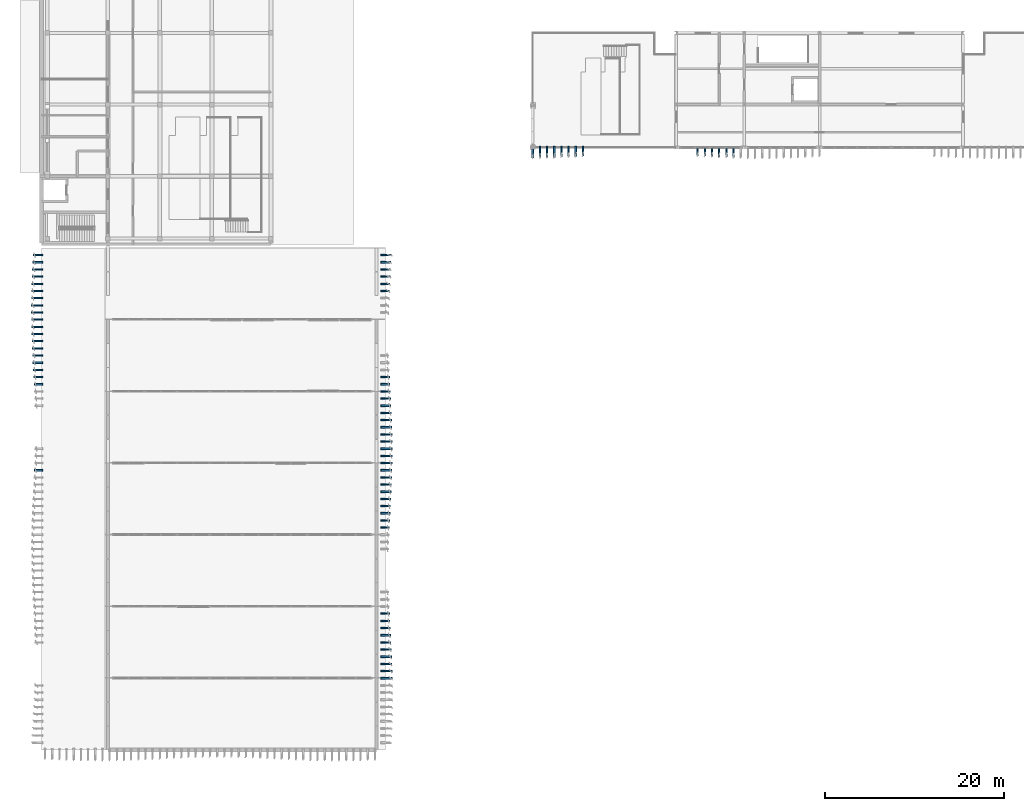
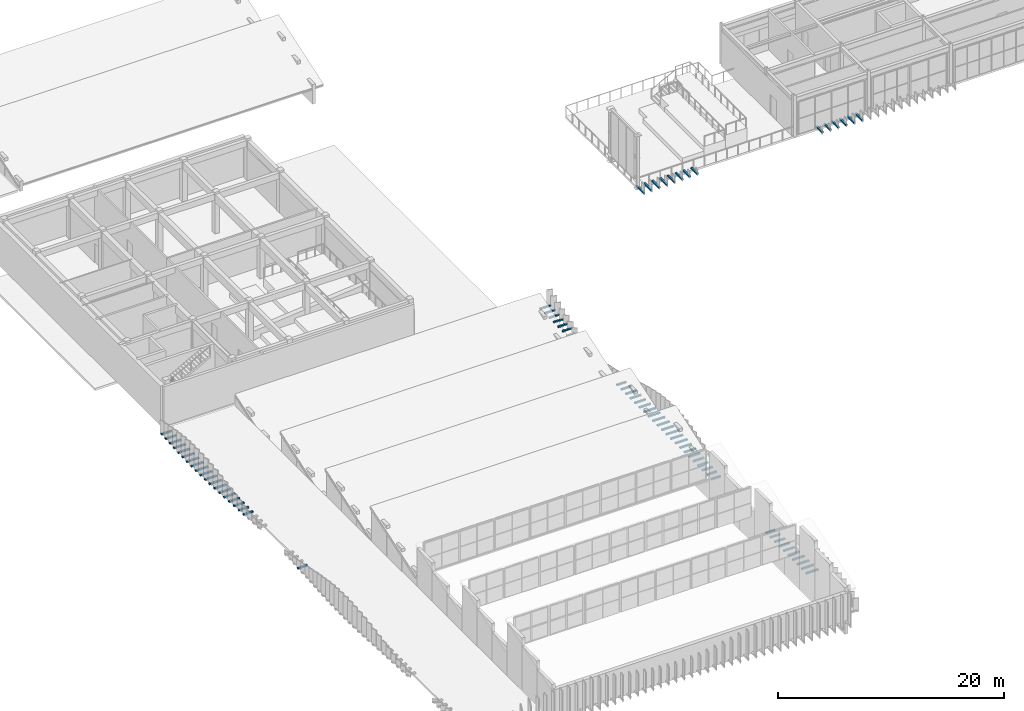
# One storey, part 34 of 45: 72 discrete accessories.
"""IFC4 building model written with IfcOpenShell, lengths in metres."""

from ifc_helpers import new_model, si_unit, direction, frame, origin, origin_2d, place, context, subcontext, project, spatial, rectangle, extrude, material, type_object, element, save


model = new_model("IFC4")

# Units and contexts
model_context = context("Model", 3, precision=1e-05, world=origin(), true_north=direction((0.0, 1.0)))
body_context = subcontext(model_context, "Body", "Model", "MODEL_VIEW")
ifc_project = project(units=[si_unit("LENGTHUNIT", "METRE"), si_unit("AREAUNIT", "SQUARE_METRE"), si_unit("VOLUMEUNIT", "CUBIC_METRE"), si_unit("PLANEANGLEUNIT", "RADIAN"), si_unit("MASSUNIT", "GRAM", prefix="KILO")], contexts=[model_context])

# Site, building, storey
site_placement = place(None, origin())
site = spatial("IfcSite", under=ifc_project, at=site_placement, CompositionType="ELEMENT")
building_placement = place(site_placement, origin())
building = spatial("IfcBuilding", under=site, at=building_placement, Name="Cinchona Park Media Centre", CompositionType="ELEMENT")
storey_placement = place(building_placement, frame((0.0, 0.0, 20.39990234375)))
storey = spatial("IfcBuildingStorey", under=building, at=storey_placement, Name="L04", CompositionType="ELEMENT", Elevation=20.39990234375)

# Discrete accessories
ifc_material = material(Name="Steel S355", Category="steel")
discrete_accessory_type = type_object("IfcDiscreteAccessoryType", Name="BRACKET-BRK01", PredefinedType="BRACKET", material=ifc_material)
discrete_accessory_1_placement = place(storey_placement, frame((7.614990234375, 62.800048828125, 0.0400390625), z_axis=(0.0, 0.0, 1.0), x_axis=(0.0, -1.0, 0.0)))
element("IfcDiscreteAccessory", 1, at=discrete_accessory_1_placement, inside=storey, type_object=discrete_accessory_type, Name="Facade Fin Outrigger Bracket L04", PredefinedType="BRACKET", context=body_context, shape_type="SweptSolid", body=[
    extrude(rectangle(XDim=0.179931640625, YDim=1.090087890625, at=origin_2d()), origin(), (0.0, 0.0, 1.0), 0.159912109375),
])
discrete_accessory_2_placement = place(storey_placement, frame((7.594970703125, 62.0, 0.0400390625), z_axis=(0.0, 0.0, 1.0), x_axis=(0.0, -1.0, 0.0)))
element("IfcDiscreteAccessory", 2, at=discrete_accessory_2_placement, inside=storey, type_object=discrete_accessory_type, Name="Facade Fin Outrigger Bracket L04", PredefinedType="BRACKET", context=body_context, shape_type="SweptSolid", body=[
    extrude(rectangle(XDim=0.179931640625, YDim=1.12890625, at=origin_2d()), origin(), (0.0, 0.0, 1.0), 0.159912109375),
])
discrete_accessory_3_placement = place(storey_placement, frame((7.576904296875, 61.199951171875, 0.0400390625), z_axis=(0.0, 0.0, 1.0), x_axis=(0.0, -1.0, 0.0)))
element("IfcDiscreteAccessory", 3, at=discrete_accessory_3_placement, inside=storey, type_object=discrete_accessory_type, Name="Facade Fin Outrigger Bracket L04", PredefinedType="BRACKET", context=body_context, shape_type="SweptSolid", body=[
    extrude(rectangle(XDim=0.179931640625, YDim=1.166015625, at=origin_2d()), origin(), (0.0, 0.0, 1.0), 0.159912109375),
])
discrete_accessory_4_placement = place(storey_placement, frame((7.56005859375, 60.39990234375, 0.0400390625), z_axis=(0.0, 0.0, 1.0), x_axis=(0.0, -1.0, 0.0)))
element("IfcDiscreteAccessory", 4, at=discrete_accessory_4_placement, inside=storey, type_object=discrete_accessory_type, Name="Facade Fin Outrigger Bracket L04", PredefinedType="BRACKET", context=body_context, shape_type="SweptSolid", body=[
    extrude(rectangle(XDim=0.179931640625, YDim=1.199951171875, at=origin_2d()), origin(), (0.0, 0.0, 1.0), 0.159912109375),
])
discrete_accessory_5_placement = place(storey_placement, frame((7.5458984375, 59.60009765625, 0.0400390625), z_axis=(0.0, 0.0, 1.0), x_axis=(0.0, -1.0, 0.0)))
element("IfcDiscreteAccessory", 5, at=discrete_accessory_5_placement, inside=storey, type_object=discrete_accessory_type, Name="Facade Fin Outrigger Bracket L04", PredefinedType="BRACKET", context=body_context, shape_type="SweptSolid", body=[
    extrude(rectangle(XDim=0.179931640625, YDim=1.22900390625, at=origin_2d()), origin(), (0.0, 0.0, 1.0), 0.159912109375),
])
discrete_accessory_6_placement = place(storey_placement, frame((7.533935546875, 58.800048828125, 0.0400390625), z_axis=(0.0, 0.0, 1.0), x_axis=(0.0, -1.0, 0.0)))
element("IfcDiscreteAccessory", 6, at=discrete_accessory_6_placement, inside=storey, type_object=discrete_accessory_type, Name="Facade Fin Outrigger Bracket L04", PredefinedType="BRACKET", context=body_context, shape_type="SweptSolid", body=[
    extrude(rectangle(XDim=0.179931640625, YDim=1.251953125, at=origin_2d()), origin(), (0.0, 0.0, 1.0), 0.159912109375),
])
discrete_accessory_7_placement = place(storey_placement, frame((7.52587890625, 58.0, 0.0400390625), z_axis=(0.0, 0.0, 1.0), x_axis=(0.0, -1.0, 0.0)))
element("IfcDiscreteAccessory", 7, at=discrete_accessory_7_placement, inside=storey, type_object=discrete_accessory_type, Name="Facade Fin Outrigger Bracket L04", PredefinedType="BRACKET", context=body_context, shape_type="SweptSolid", body=[
    extrude(rectangle(XDim=0.179931640625, YDim=1.26806640625, at=origin_2d()), origin(), (0.0, 0.0, 1.0), 0.159912109375),
])
discrete_accessory_8_placement = place(storey_placement, frame((7.52099609375, 57.199951171875, 0.0400390625), z_axis=(0.0, 0.0, 1.0), x_axis=(0.0, -1.0, 0.0)))
element("IfcDiscreteAccessory", 8, at=discrete_accessory_8_placement, inside=storey, type_object=discrete_accessory_type, Name="Facade Fin Outrigger Bracket L04", PredefinedType="BRACKET", context=body_context, shape_type="SweptSolid", body=[
    extrude(rectangle(XDim=0.179931640625, YDim=1.278076171875, at=origin_2d()), origin(), (0.0, 0.0, 1.0), 0.159912109375),
])
discrete_accessory_9_placement = place(storey_placement, frame((7.52001953125, 56.39990234375, 0.0400390625), z_axis=(0.0, 0.0, 1.0), x_axis=(0.0, -1.0, 0.0)))
element("IfcDiscreteAccessory", 9, at=discrete_accessory_9_placement, inside=storey, type_object=discrete_accessory_type, Name="Facade Fin Outrigger Bracket L04", PredefinedType="BRACKET", context=body_context, shape_type="SweptSolid", body=[
    extrude(rectangle(XDim=0.179931640625, YDim=1.280029296875, at=origin_2d()), origin(), (0.0, 0.0, 1.0), 0.159912109375),
])
discrete_accessory_10_placement = place(storey_placement, frame((7.52294921875, 55.60009765625, 0.0400390625), z_axis=(0.0, 0.0, 1.0), x_axis=(0.0, -1.0, 0.0)))
element("IfcDiscreteAccessory", 10, at=discrete_accessory_10_placement, inside=storey, type_object=discrete_accessory_type, Name="Facade Fin Outrigger Bracket L04", PredefinedType="BRACKET", context=body_context, shape_type="SweptSolid", body=[
    extrude(rectangle(XDim=0.179931640625, YDim=1.27392578125, at=origin_2d()), origin(), (0.0, 0.0, 1.0), 0.159912109375),
])
discrete_accessory_11_placement = place(storey_placement, frame((7.529052734375, 54.800048828125, 0.0400390625), z_axis=(0.0, 0.0, 1.0), x_axis=(0.0, -1.0, 0.0)))
element("IfcDiscreteAccessory", 11, at=discrete_accessory_11_placement, inside=storey, type_object=discrete_accessory_type, Name="Facade Fin Outrigger Bracket L04", PredefinedType="BRACKET", context=body_context, shape_type="SweptSolid", body=[
    extrude(rectangle(XDim=0.179931640625, YDim=1.260986328125, at=origin_2d()), origin(), (0.0, 0.0, 1.0), 0.159912109375),
])
discrete_accessory_12_placement = place(storey_placement, frame((7.5390625, 54.0, 0.0400390625), z_axis=(0.0, 0.0, 1.0), x_axis=(0.0, -1.0, 0.0)))
element("IfcDiscreteAccessory", 12, at=discrete_accessory_12_placement, inside=storey, type_object=discrete_accessory_type, Name="Facade Fin Outrigger Bracket L04", PredefinedType="BRACKET", context=body_context, shape_type="SweptSolid", body=[
    extrude(rectangle(XDim=0.179931640625, YDim=1.240966796875, at=origin_2d()), origin(), (0.0, 0.0, 1.0), 0.159912109375),
])
discrete_accessory_13_placement = place(storey_placement, frame((7.552978515625, 53.199951171875, 0.0400390625), z_axis=(0.0, 0.0, 1.0), x_axis=(0.0, -1.0, 0.0)))
element("IfcDiscreteAccessory", 13, at=discrete_accessory_13_placement, inside=storey, type_object=discrete_accessory_type, Name="Facade Fin Outrigger Bracket L04", PredefinedType="BRACKET", context=body_context, shape_type="SweptSolid", body=[
    extrude(rectangle(XDim=0.179931640625, YDim=1.215087890625, at=origin_2d()), origin(), (0.0, 0.0, 1.0), 0.159912109375),
])
discrete_accessory_14_placement = place(storey_placement, frame((7.568115234375, 52.39990234375, 0.0400390625), z_axis=(0.0, 0.0, 1.0), x_axis=(0.0, -1.0, 0.0)))
element("IfcDiscreteAccessory", 14, at=discrete_accessory_14_placement, inside=storey, type_object=discrete_accessory_type, Name="Facade Fin Outrigger Bracket L04", PredefinedType="BRACKET", context=body_context, shape_type="SweptSolid", body=[
    extrude(rectangle(XDim=0.179931640625, YDim=1.18408203125, at=origin_2d()), origin(), (0.0, 0.0, 1.0), 0.159912109375),
])
discrete_accessory_15_placement = place(storey_placement, frame((7.5859375, 51.60009765625, 0.0400390625), z_axis=(0.0, 0.0, 1.0), x_axis=(0.0, -1.0, 0.0)))
element("IfcDiscreteAccessory", 15, at=discrete_accessory_15_placement, inside=storey, type_object=discrete_accessory_type, Name="Facade Fin Outrigger Bracket L04", PredefinedType="BRACKET", context=body_context, shape_type="SweptSolid", body=[
    extrude(rectangle(XDim=0.179931640625, YDim=1.14794921875, at=origin_2d()), origin(), (0.0, 0.0, 1.0), 0.159912109375),
])
discrete_accessory_16_placement = place(storey_placement, frame((7.60498046875, 50.800048828125, 0.0400390625), z_axis=(0.0, 0.0, 1.0), x_axis=(0.0, -1.0, 0.0)))
element("IfcDiscreteAccessory", 16, at=discrete_accessory_16_placement, inside=storey, type_object=discrete_accessory_type, Name="Facade Fin Outrigger Bracket L04", PredefinedType="BRACKET", context=body_context, shape_type="SweptSolid", body=[
    extrude(rectangle(XDim=0.179931640625, YDim=1.110107421875, at=origin_2d()), origin(), (0.0, 0.0, 1.0), 0.159912109375),
])
discrete_accessory_17_placement = place(storey_placement, frame((7.625, 50.0, 0.0400390625), z_axis=(0.0, 0.0, 1.0), x_axis=(0.0, -1.0, 0.0)))
element("IfcDiscreteAccessory", 17, at=discrete_accessory_17_placement, inside=storey, type_object=discrete_accessory_type, Name="Facade Fin Outrigger Bracket L04", PredefinedType="BRACKET", context=body_context, shape_type="SweptSolid", body=[
    extrude(rectangle(XDim=0.179931640625, YDim=1.070068359375, at=origin_2d()), origin(), (0.0, 0.0, 1.0), 0.159912109375),
])
discrete_accessory_18_placement = place(storey_placement, frame((7.64501953125, 49.199951171875, 0.0400390625), z_axis=(0.0, 0.0, 1.0), x_axis=(0.0, -1.0, 0.0)))
element("IfcDiscreteAccessory", 18, at=discrete_accessory_18_placement, inside=storey, type_object=discrete_accessory_type, Name="Facade Fin Outrigger Bracket L04", PredefinedType="BRACKET", context=body_context, shape_type="SweptSolid", body=[
    extrude(rectangle(XDim=0.179931640625, YDim=1.030029296875, at=origin_2d()), origin(), (0.0, 0.0, 1.0), 0.159912109375),
])
discrete_accessory_19_placement = place(storey_placement, frame((7.6640625, 48.39990234375, 0.0400390625), z_axis=(0.0, 0.0, 1.0), x_axis=(0.0, -1.0, 0.0)))
element("IfcDiscreteAccessory", 19, at=discrete_accessory_19_placement, inside=storey, type_object=discrete_accessory_type, Name="Facade Fin Outrigger Bracket L04", PredefinedType="BRACKET", context=body_context, shape_type="SweptSolid", body=[
    extrude(rectangle(XDim=0.179931640625, YDim=0.991943359375, at=origin_2d()), origin(), (0.0, 0.0, 1.0), 0.159912109375),
])
discrete_accessory_20_placement = place(storey_placement, frame((7.673095703125, 38.800048828125, 0.0400390625), z_axis=(0.0, 0.0, 1.0), x_axis=(0.0, -1.0, 0.0)))
element("IfcDiscreteAccessory", 20, at=discrete_accessory_20_placement, inside=storey, type_object=discrete_accessory_type, Name="Facade Fin Outrigger Bracket L04", PredefinedType="BRACKET", context=body_context, shape_type="SweptSolid", body=[
    extrude(rectangle(XDim=0.179931640625, YDim=0.97412109375, at=origin_2d()), origin(), (0.0, 0.0, 1.0), 0.159912109375),
])
discrete_accessory_21_placement = place(storey_placement, frame((46.47705078125, 15.60009765625, 0.0400390625), z_axis=(0.0, 0.0, 1.0), x_axis=(0.0, 1.0, 0.0)))
element("IfcDiscreteAccessory", 21, at=discrete_accessory_21_placement, inside=storey, type_object=discrete_accessory_type, Name="Facade Fin Outrigger Bracket L04", PredefinedType="BRACKET", context=body_context, shape_type="SweptSolid", body=[
    extrude(rectangle(XDim=0.179931640625, YDim=1.27392578125, at=origin_2d()), origin(), (0.0, 0.0, 1.0), 0.159912109375),
])
discrete_accessory_22_placement = place(storey_placement, frame((46.470947265625, 16.39990234375, 0.0400390625), z_axis=(0.0, 0.0, 1.0), x_axis=(0.0, 1.0, 0.0)))
element("IfcDiscreteAccessory", 22, at=discrete_accessory_22_placement, inside=storey, type_object=discrete_accessory_type, Name="Facade Fin Outrigger Bracket L04", PredefinedType="BRACKET", context=body_context, shape_type="SweptSolid", body=[
    extrude(rectangle(XDim=0.179931640625, YDim=1.260986328125, at=origin_2d()), origin(), (0.0, 0.0, 1.0), 0.159912109375),
])
discrete_accessory_23_placement = place(storey_placement, frame((46.4609375, 17.199951171875, 0.0400390625), z_axis=(0.0, 0.0, 1.0), x_axis=(0.0, 1.0, 0.0)))
element("IfcDiscreteAccessory", 23, at=discrete_accessory_23_placement, inside=storey, type_object=discrete_accessory_type, Name="Facade Fin Outrigger Bracket L04", PredefinedType="BRACKET", context=body_context, shape_type="SweptSolid", body=[
    extrude(rectangle(XDim=0.179931640625, YDim=1.240966796875, at=origin_2d()), origin(), (0.0, 0.0, 1.0), 0.159912109375),
])
discrete_accessory_24_placement = place(storey_placement, frame((46.447021484375, 18.0, 0.0400390625), z_axis=(0.0, 0.0, 1.0), x_axis=(0.0, 1.0, 0.0)))
element("IfcDiscreteAccessory", 24, at=discrete_accessory_24_placement, inside=storey, type_object=discrete_accessory_type, Name="Facade Fin Outrigger Bracket L04", PredefinedType="BRACKET", context=body_context, shape_type="SweptSolid", body=[
    extrude(rectangle(XDim=0.179931640625, YDim=1.215087890625, at=origin_2d()), origin(), (0.0, 0.0, 1.0), 0.159912109375),
])
discrete_accessory_25_placement = place(storey_placement, frame((46.431884765625, 18.800048828125, 0.0400390625), z_axis=(0.0, 0.0, 1.0), x_axis=(0.0, 1.0, 0.0)))
element("IfcDiscreteAccessory", 25, at=discrete_accessory_25_placement, inside=storey, type_object=discrete_accessory_type, Name="Facade Fin Outrigger Bracket L04", PredefinedType="BRACKET", context=body_context, shape_type="SweptSolid", body=[
    extrude(rectangle(XDim=0.179931640625, YDim=1.18408203125, at=origin_2d()), origin(), (0.0, 0.0, 1.0), 0.159912109375),
])
discrete_accessory_26_placement = place(storey_placement, frame((46.4140625, 19.60009765625, 0.0400390625), z_axis=(0.0, 0.0, 1.0), x_axis=(0.0, 1.0, 0.0)))
element("IfcDiscreteAccessory", 26, at=discrete_accessory_26_placement, inside=storey, type_object=discrete_accessory_type, Name="Facade Fin Outrigger Bracket L04", PredefinedType="BRACKET", context=body_context, shape_type="SweptSolid", body=[
    extrude(rectangle(XDim=0.179931640625, YDim=1.14794921875, at=origin_2d()), origin(), (0.0, 0.0, 1.0), 0.159912109375),
])
discrete_accessory_27_placement = place(storey_placement, frame((46.39501953125, 20.39990234375, 0.0400390625), z_axis=(0.0, 0.0, 1.0), x_axis=(0.0, 1.0, 0.0)))
element("IfcDiscreteAccessory", 27, at=discrete_accessory_27_placement, inside=storey, type_object=discrete_accessory_type, Name="Facade Fin Outrigger Bracket L04", PredefinedType="BRACKET", context=body_context, shape_type="SweptSolid", body=[
    extrude(rectangle(XDim=0.179931640625, YDim=1.110107421875, at=origin_2d()), origin(), (0.0, 0.0, 1.0), 0.159912109375),
])
discrete_accessory_28_placement = place(storey_placement, frame((46.375, 21.199951171875, 0.0400390625), z_axis=(0.0, 0.0, 1.0), x_axis=(0.0, 1.0, 0.0)))
element("IfcDiscreteAccessory", 28, at=discrete_accessory_28_placement, inside=storey, type_object=discrete_accessory_type, Name="Facade Fin Outrigger Bracket L04", PredefinedType="BRACKET", context=body_context, shape_type="SweptSolid", body=[
    extrude(rectangle(XDim=0.179931640625, YDim=1.070068359375, at=origin_2d()), origin(), (0.0, 0.0, 1.0), 0.159912109375),
])
discrete_accessory_29_placement = place(storey_placement, frame((46.35498046875, 22.0, 0.0400390625), z_axis=(0.0, 0.0, 1.0), x_axis=(0.0, 1.0, 0.0)))
element("IfcDiscreteAccessory", 29, at=discrete_accessory_29_placement, inside=storey, type_object=discrete_accessory_type, Name="Facade Fin Outrigger Bracket L04", PredefinedType="BRACKET", context=body_context, shape_type="SweptSolid", body=[
    extrude(rectangle(XDim=0.179931640625, YDim=1.030029296875, at=origin_2d()), origin(), (0.0, 0.0, 1.0), 0.159912109375),
])
discrete_accessory_30_placement = place(storey_placement, frame((46.3359375, 22.800048828125, 0.0400390625), z_axis=(0.0, 0.0, 1.0), x_axis=(0.0, 1.0, 0.0)))
element("IfcDiscreteAccessory", 30, at=discrete_accessory_30_placement, inside=storey, type_object=discrete_accessory_type, Name="Facade Fin Outrigger Bracket L04", PredefinedType="BRACKET", context=body_context, shape_type="SweptSolid", body=[
    extrude(rectangle(XDim=0.179931640625, YDim=0.991943359375, at=origin_2d()), origin(), (0.0, 0.0, 1.0), 0.159912109375),
])
discrete_accessory_31_placement = place(storey_placement, frame((46.326904296875, 32.39990234375, 0.0400390625), z_axis=(0.0, 0.0, 1.0), x_axis=(0.0, 1.0, 0.0)))
element("IfcDiscreteAccessory", 31, at=discrete_accessory_31_placement, inside=storey, type_object=discrete_accessory_type, Name="Facade Fin Outrigger Bracket L04", PredefinedType="BRACKET", context=body_context, shape_type="SweptSolid", body=[
    extrude(rectangle(XDim=0.179931640625, YDim=0.97412109375, at=origin_2d()), origin(), (0.0, 0.0, 1.0), 0.159912109375),
])
discrete_accessory_32_placement = place(storey_placement, frame((46.344970703125, 33.199951171875, 0.0400390625), z_axis=(0.0, 0.0, 1.0), x_axis=(0.0, 1.0, 0.0)))
element("IfcDiscreteAccessory", 32, at=discrete_accessory_32_placement, inside=storey, type_object=discrete_accessory_type, Name="Facade Fin Outrigger Bracket L04", PredefinedType="BRACKET", context=body_context, shape_type="SweptSolid", body=[
    extrude(rectangle(XDim=0.179931640625, YDim=1.010986328125, at=origin_2d()), origin(), (0.0, 0.0, 1.0), 0.159912109375),
])
discrete_accessory_33_placement = place(storey_placement, frame((46.364990234375, 34.0, 0.0400390625), z_axis=(0.0, 0.0, 1.0), x_axis=(0.0, 1.0, 0.0)))
element("IfcDiscreteAccessory", 33, at=discrete_accessory_33_placement, inside=storey, type_object=discrete_accessory_type, Name="Facade Fin Outrigger Bracket L04", PredefinedType="BRACKET", context=body_context, shape_type="SweptSolid", body=[
    extrude(rectangle(XDim=0.179931640625, YDim=1.050048828125, at=origin_2d()), origin(), (0.0, 0.0, 1.0), 0.159912109375),
])
discrete_accessory_34_placement = place(storey_placement, frame((46.385009765625, 34.800048828125, 0.0400390625), z_axis=(0.0, 0.0, 1.0), x_axis=(0.0, 1.0, 0.0)))
element("IfcDiscreteAccessory", 34, at=discrete_accessory_34_placement, inside=storey, type_object=discrete_accessory_type, Name="Facade Fin Outrigger Bracket L04", PredefinedType="BRACKET", context=body_context, shape_type="SweptSolid", body=[
    extrude(rectangle(XDim=0.179931640625, YDim=1.090087890625, at=origin_2d()), origin(), (0.0, 0.0, 1.0), 0.159912109375),
])
discrete_accessory_35_placement = place(storey_placement, frame((46.405029296875, 35.60009765625, 0.0400390625), z_axis=(0.0, 0.0, 1.0), x_axis=(0.0, 1.0, 0.0)))
element("IfcDiscreteAccessory", 35, at=discrete_accessory_35_placement, inside=storey, type_object=discrete_accessory_type, Name="Facade Fin Outrigger Bracket L04", PredefinedType="BRACKET", context=body_context, shape_type="SweptSolid", body=[
    extrude(rectangle(XDim=0.179931640625, YDim=1.12890625, at=origin_2d()), origin(), (0.0, 0.0, 1.0), 0.159912109375),
])
discrete_accessory_36_placement = place(storey_placement, frame((46.423095703125, 36.39990234375, 0.0400390625), z_axis=(0.0, 0.0, 1.0), x_axis=(0.0, 1.0, 0.0)))
element("IfcDiscreteAccessory", 36, at=discrete_accessory_36_placement, inside=storey, type_object=discrete_accessory_type, Name="Facade Fin Outrigger Bracket L04", PredefinedType="BRACKET", context=body_context, shape_type="SweptSolid", body=[
    extrude(rectangle(XDim=0.179931640625, YDim=1.166015625, at=origin_2d()), origin(), (0.0, 0.0, 1.0), 0.159912109375),
])
discrete_accessory_37_placement = place(storey_placement, frame((46.43994140625, 37.199951171875, 0.0400390625), z_axis=(0.0, 0.0, 1.0), x_axis=(0.0, 1.0, 0.0)))
element("IfcDiscreteAccessory", 37, at=discrete_accessory_37_placement, inside=storey, type_object=discrete_accessory_type, Name="Facade Fin Outrigger Bracket L04", PredefinedType="BRACKET", context=body_context, shape_type="SweptSolid", body=[
    extrude(rectangle(XDim=0.179931640625, YDim=1.199951171875, at=origin_2d()), origin(), (0.0, 0.0, 1.0), 0.159912109375),
])
discrete_accessory_38_placement = place(storey_placement, frame((46.4541015625, 38.0, 0.0400390625), z_axis=(0.0, 0.0, 1.0), x_axis=(0.0, 1.0, 0.0)))
element("IfcDiscreteAccessory", 38, at=discrete_accessory_38_placement, inside=storey, type_object=discrete_accessory_type, Name="Facade Fin Outrigger Bracket L04", PredefinedType="BRACKET", context=body_context, shape_type="SweptSolid", body=[
    extrude(rectangle(XDim=0.179931640625, YDim=1.22900390625, at=origin_2d()), origin(), (0.0, 0.0, 1.0), 0.159912109375),
])
discrete_accessory_39_placement = place(storey_placement, frame((46.466064453125, 38.800048828125, 0.0400390625), z_axis=(0.0, 0.0, 1.0), x_axis=(0.0, 1.0, 0.0)))
element("IfcDiscreteAccessory", 39, at=discrete_accessory_39_placement, inside=storey, type_object=discrete_accessory_type, Name="Facade Fin Outrigger Bracket L04", PredefinedType="BRACKET", context=body_context, shape_type="SweptSolid", body=[
    extrude(rectangle(XDim=0.179931640625, YDim=1.251953125, at=origin_2d()), origin(), (0.0, 0.0, 1.0), 0.159912109375),
])
discrete_accessory_40_placement = place(storey_placement, frame((46.47412109375, 39.60009765625, 0.0400390625), z_axis=(0.0, 0.0, 1.0), x_axis=(0.0, 1.0, 0.0)))
element("IfcDiscreteAccessory", 40, at=discrete_accessory_40_placement, inside=storey, type_object=discrete_accessory_type, Name="Facade Fin Outrigger Bracket L04", PredefinedType="BRACKET", context=body_context, shape_type="SweptSolid", body=[
    extrude(rectangle(XDim=0.179931640625, YDim=1.26806640625, at=origin_2d()), origin(), (0.0, 0.0, 1.0), 0.159912109375),
])
discrete_accessory_41_placement = place(storey_placement, frame((46.47900390625, 40.39990234375, 0.0400390625), z_axis=(0.0, 0.0, 1.0), x_axis=(0.0, 1.0, 0.0)))
element("IfcDiscreteAccessory", 41, at=discrete_accessory_41_placement, inside=storey, type_object=discrete_accessory_type, Name="Facade Fin Outrigger Bracket L04", PredefinedType="BRACKET", context=body_context, shape_type="SweptSolid", body=[
    extrude(rectangle(XDim=0.179931640625, YDim=1.278076171875, at=origin_2d()), origin(), (0.0, 0.0, 1.0), 0.159912109375),
])
discrete_accessory_42_placement = place(storey_placement, frame((46.47998046875, 41.199951171875, 0.0400390625), z_axis=(0.0, 0.0, 1.0), x_axis=(0.0, 1.0, 0.0)))
element("IfcDiscreteAccessory", 42, at=discrete_accessory_42_placement, inside=storey, type_object=discrete_accessory_type, Name="Facade Fin Outrigger Bracket L04", PredefinedType="BRACKET", context=body_context, shape_type="SweptSolid", body=[
    extrude(rectangle(XDim=0.179931640625, YDim=1.280029296875, at=origin_2d()), origin(), (0.0, 0.0, 1.0), 0.159912109375),
])
discrete_accessory_43_placement = place(storey_placement, frame((46.47705078125, 42.0, 0.0400390625), z_axis=(0.0, 0.0, 1.0), x_axis=(0.0, 1.0, 0.0)))
element("IfcDiscreteAccessory", 43, at=discrete_accessory_43_placement, inside=storey, type_object=discrete_accessory_type, Name="Facade Fin Outrigger Bracket L04", PredefinedType="BRACKET", context=body_context, shape_type="SweptSolid", body=[
    extrude(rectangle(XDim=0.179931640625, YDim=1.27392578125, at=origin_2d()), origin(), (0.0, 0.0, 1.0), 0.159912109375),
])
discrete_accessory_44_placement = place(storey_placement, frame((46.470947265625, 42.800048828125, 0.0400390625), z_axis=(0.0, 0.0, 1.0), x_axis=(0.0, 1.0, 0.0)))
element("IfcDiscreteAccessory", 44, at=discrete_accessory_44_placement, inside=storey, type_object=discrete_accessory_type, Name="Facade Fin Outrigger Bracket L04", PredefinedType="BRACKET", context=body_context, shape_type="SweptSolid", body=[
    extrude(rectangle(XDim=0.179931640625, YDim=1.260986328125, at=origin_2d()), origin(), (0.0, 0.0, 1.0), 0.159912109375),
])
discrete_accessory_45_placement = place(storey_placement, frame((46.4609375, 43.60009765625, 0.0400390625), z_axis=(0.0, 0.0, 1.0), x_axis=(0.0, 1.0, 0.0)))
element("IfcDiscreteAccessory", 45, at=discrete_accessory_45_placement, inside=storey, type_object=discrete_accessory_type, Name="Facade Fin Outrigger Bracket L04", PredefinedType="BRACKET", context=body_context, shape_type="SweptSolid", body=[
    extrude(rectangle(XDim=0.179931640625, YDim=1.240966796875, at=origin_2d()), origin(), (0.0, 0.0, 1.0), 0.159912109375),
])
discrete_accessory_46_placement = place(storey_placement, frame((46.447021484375, 44.39990234375, 0.0400390625), z_axis=(0.0, 0.0, 1.0), x_axis=(0.0, 1.0, 0.0)))
element("IfcDiscreteAccessory", 46, at=discrete_accessory_46_placement, inside=storey, type_object=discrete_accessory_type, Name="Facade Fin Outrigger Bracket L04", PredefinedType="BRACKET", context=body_context, shape_type="SweptSolid", body=[
    extrude(rectangle(XDim=0.179931640625, YDim=1.215087890625, at=origin_2d()), origin(), (0.0, 0.0, 1.0), 0.159912109375),
])
discrete_accessory_47_placement = place(storey_placement, frame((46.431884765625, 45.199951171875, 0.0400390625), z_axis=(0.0, 0.0, 1.0), x_axis=(0.0, 1.0, 0.0)))
element("IfcDiscreteAccessory", 47, at=discrete_accessory_47_placement, inside=storey, type_object=discrete_accessory_type, Name="Facade Fin Outrigger Bracket L04", PredefinedType="BRACKET", context=body_context, shape_type="SweptSolid", body=[
    extrude(rectangle(XDim=0.179931640625, YDim=1.18408203125, at=origin_2d()), origin(), (0.0, 0.0, 1.0), 0.159912109375),
])
discrete_accessory_48_placement = place(storey_placement, frame((46.4140625, 46.0, 0.0400390625), z_axis=(0.0, 0.0, 1.0), x_axis=(0.0, 1.0, 0.0)))
element("IfcDiscreteAccessory", 48, at=discrete_accessory_48_placement, inside=storey, type_object=discrete_accessory_type, Name="Facade Fin Outrigger Bracket L04", PredefinedType="BRACKET", context=body_context, shape_type="SweptSolid", body=[
    extrude(rectangle(XDim=0.179931640625, YDim=1.14794921875, at=origin_2d()), origin(), (0.0, 0.0, 1.0), 0.159912109375),
])
discrete_accessory_49_placement = place(storey_placement, frame((46.39501953125, 46.800048828125, 0.0400390625), z_axis=(0.0, 0.0, 1.0), x_axis=(0.0, 1.0, 0.0)))
element("IfcDiscreteAccessory", 49, at=discrete_accessory_49_placement, inside=storey, type_object=discrete_accessory_type, Name="Facade Fin Outrigger Bracket L04", PredefinedType="BRACKET", context=body_context, shape_type="SweptSolid", body=[
    extrude(rectangle(XDim=0.179931640625, YDim=1.110107421875, at=origin_2d()), origin(), (0.0, 0.0, 1.0), 0.159912109375),
])
discrete_accessory_50_placement = place(storey_placement, frame((46.375, 47.60009765625, 0.0400390625), z_axis=(0.0, 0.0, 1.0), x_axis=(0.0, 1.0, 0.0)))
element("IfcDiscreteAccessory", 50, at=discrete_accessory_50_placement, inside=storey, type_object=discrete_accessory_type, Name="Facade Fin Outrigger Bracket L04", PredefinedType="BRACKET", context=body_context, shape_type="SweptSolid", body=[
    extrude(rectangle(XDim=0.179931640625, YDim=1.070068359375, at=origin_2d()), origin(), (0.0, 0.0, 1.0), 0.159912109375),
])
discrete_accessory_51_placement = place(storey_placement, frame((46.35498046875, 48.39990234375, 0.0400390625), z_axis=(0.0, 0.0, 1.0), x_axis=(0.0, 1.0, 0.0)))
element("IfcDiscreteAccessory", 51, at=discrete_accessory_51_placement, inside=storey, type_object=discrete_accessory_type, Name="Facade Fin Outrigger Bracket L04", PredefinedType="BRACKET", context=body_context, shape_type="SweptSolid", body=[
    extrude(rectangle(XDim=0.179931640625, YDim=1.030029296875, at=origin_2d()), origin(), (0.0, 0.0, 1.0), 0.159912109375),
])
discrete_accessory_52_placement = place(storey_placement, frame((46.3359375, 49.199951171875, 0.0400390625), z_axis=(0.0, 0.0, 1.0), x_axis=(0.0, 1.0, 0.0)))
element("IfcDiscreteAccessory", 52, at=discrete_accessory_52_placement, inside=storey, type_object=discrete_accessory_type, Name="Facade Fin Outrigger Bracket L04", PredefinedType="BRACKET", context=body_context, shape_type="SweptSolid", body=[
    extrude(rectangle(XDim=0.179931640625, YDim=0.991943359375, at=origin_2d()), origin(), (0.0, 0.0, 1.0), 0.159912109375),
])
discrete_accessory_53_placement = place(storey_placement, frame((46.326904296875, 58.800048828125, 0.0400390625), z_axis=(0.0, 0.0, 1.0), x_axis=(0.0, 1.0, 0.0)))
element("IfcDiscreteAccessory", 53, at=discrete_accessory_53_placement, inside=storey, type_object=discrete_accessory_type, Name="Facade Fin Outrigger Bracket L04", PredefinedType="BRACKET", context=body_context, shape_type="SweptSolid", body=[
    extrude(rectangle(XDim=0.179931640625, YDim=0.97412109375, at=origin_2d()), origin(), (0.0, 0.0, 1.0), 0.159912109375),
])
discrete_accessory_54_placement = place(storey_placement, frame((46.344970703125, 59.60009765625, 0.0400390625), z_axis=(0.0, 0.0, 1.0), x_axis=(0.0, 1.0, 0.0)))
element("IfcDiscreteAccessory", 54, at=discrete_accessory_54_placement, inside=storey, type_object=discrete_accessory_type, Name="Facade Fin Outrigger Bracket L04", PredefinedType="BRACKET", context=body_context, shape_type="SweptSolid", body=[
    extrude(rectangle(XDim=0.179931640625, YDim=1.010986328125, at=origin_2d()), origin(), (0.0, 0.0, 1.0), 0.159912109375),
])
discrete_accessory_55_placement = place(storey_placement, frame((46.364990234375, 60.39990234375, 0.0400390625), z_axis=(0.0, 0.0, 1.0), x_axis=(0.0, 1.0, 0.0)))
element("IfcDiscreteAccessory", 55, at=discrete_accessory_55_placement, inside=storey, type_object=discrete_accessory_type, Name="Facade Fin Outrigger Bracket L04", PredefinedType="BRACKET", context=body_context, shape_type="SweptSolid", body=[
    extrude(rectangle(XDim=0.179931640625, YDim=1.050048828125, at=origin_2d()), origin(), (0.0, 0.0, 1.0), 0.159912109375),
])
discrete_accessory_56_placement = place(storey_placement, frame((46.385009765625, 61.199951171875, 0.0400390625), z_axis=(0.0, 0.0, 1.0), x_axis=(0.0, 1.0, 0.0)))
element("IfcDiscreteAccessory", 56, at=discrete_accessory_56_placement, inside=storey, type_object=discrete_accessory_type, Name="Facade Fin Outrigger Bracket L04", PredefinedType="BRACKET", context=body_context, shape_type="SweptSolid", body=[
    extrude(rectangle(XDim=0.179931640625, YDim=1.090087890625, at=origin_2d()), origin(), (0.0, 0.0, 1.0), 0.159912109375),
])
discrete_accessory_57_placement = place(storey_placement, frame((46.405029296875, 62.0, 0.0400390625), z_axis=(0.0, 0.0, 1.0), x_axis=(0.0, 1.0, 0.0)))
element("IfcDiscreteAccessory", 57, at=discrete_accessory_57_placement, inside=storey, type_object=discrete_accessory_type, Name="Facade Fin Outrigger Bracket L04", PredefinedType="BRACKET", context=body_context, shape_type="SweptSolid", body=[
    extrude(rectangle(XDim=0.179931640625, YDim=1.12890625, at=origin_2d()), origin(), (0.0, 0.0, 1.0), 0.159912109375),
])
discrete_accessory_58_placement = place(storey_placement, frame((46.423095703125, 62.800048828125, 0.0400390625), z_axis=(0.0, 0.0, 1.0), x_axis=(0.0, 1.0, 0.0)))
element("IfcDiscreteAccessory", 58, at=discrete_accessory_58_placement, inside=storey, type_object=discrete_accessory_type, Name="Facade Fin Outrigger Bracket L04", PredefinedType="BRACKET", context=body_context, shape_type="SweptSolid", body=[
    extrude(rectangle(XDim=0.179931640625, YDim=1.166015625, at=origin_2d()), origin(), (0.0, 0.0, 1.0), 0.159912109375),
])
discrete_accessory_59_placement = place(storey_placement, frame((62.800048828125, 74.322998046875, 0.0400390625), z_axis=(0.0, 0.0, 1.0), x_axis=(1.0, 0.0, 0.0)))
element("IfcDiscreteAccessory", 59, at=discrete_accessory_59_placement, inside=storey, type_object=discrete_accessory_type, Name="Facade Fin Outrigger Bracket L04", PredefinedType="BRACKET", context=body_context, shape_type="SweptSolid", body=[
    extrude(rectangle(XDim=0.179931640625, YDim=1.27392578125, at=origin_2d()), origin(), (0.0, 0.0, 1.0), 0.159912109375),
])
discrete_accessory_60_placement = place(storey_placement, frame((63.60009765625, 74.3291015625, 0.0400390625), z_axis=(0.0, 0.0, 1.0), x_axis=(1.0, 0.0, 0.0)))
element("IfcDiscreteAccessory", 60, at=discrete_accessory_60_placement, inside=storey, type_object=discrete_accessory_type, Name="Facade Fin Outrigger Bracket L04", PredefinedType="BRACKET", context=body_context, shape_type="SweptSolid", body=[
    extrude(rectangle(XDim=0.179931640625, YDim=1.260986328125, at=origin_2d()), origin(), (0.0, 0.0, 1.0), 0.159912109375),
])
discrete_accessory_61_placement = place(storey_placement, frame((64.39990234375, 74.339111328125, 0.0400390625), z_axis=(0.0, 0.0, 1.0), x_axis=(1.0, 0.0, 0.0)))
element("IfcDiscreteAccessory", 61, at=discrete_accessory_61_placement, inside=storey, type_object=discrete_accessory_type, Name="Facade Fin Outrigger Bracket L04", PredefinedType="BRACKET", context=body_context, shape_type="SweptSolid", body=[
    extrude(rectangle(XDim=0.179931640625, YDim=1.240966796875, at=origin_2d()), origin(), (0.0, 0.0, 1.0), 0.159912109375),
])
discrete_accessory_62_placement = place(storey_placement, frame((65.199951171875, 74.35302734375, 0.0400390625), z_axis=(0.0, 0.0, 1.0), x_axis=(1.0, 0.0, 0.0)))
element("IfcDiscreteAccessory", 62, at=discrete_accessory_62_placement, inside=storey, type_object=discrete_accessory_type, Name="Facade Fin Outrigger Bracket L04", PredefinedType="BRACKET", context=body_context, shape_type="SweptSolid", body=[
    extrude(rectangle(XDim=0.179931640625, YDim=1.215087890625, at=origin_2d()), origin(), (0.0, 0.0, 1.0), 0.159912109375),
])
discrete_accessory_63_placement = place(storey_placement, frame((66.0, 74.367919921875, 0.0400390625), z_axis=(0.0, 0.0, 1.0), x_axis=(1.0, 0.0, 0.0)))
element("IfcDiscreteAccessory", 63, at=discrete_accessory_63_placement, inside=storey, type_object=discrete_accessory_type, Name="Facade Fin Outrigger Bracket L04", PredefinedType="BRACKET", context=body_context, shape_type="SweptSolid", body=[
    extrude(rectangle(XDim=0.179931640625, YDim=1.18408203125, at=origin_2d()), origin(), (0.0, 0.0, 1.0), 0.159912109375),
])
discrete_accessory_64_placement = place(storey_placement, frame((66.800048828125, 74.385986328125, 0.0400390625), z_axis=(0.0, 0.0, 1.0), x_axis=(1.0, 0.0, 0.0)))
element("IfcDiscreteAccessory", 64, at=discrete_accessory_64_placement, inside=storey, type_object=discrete_accessory_type, Name="Facade Fin Outrigger Bracket L04", PredefinedType="BRACKET", context=body_context, shape_type="SweptSolid", body=[
    extrude(rectangle(XDim=0.179931640625, YDim=1.14794921875, at=origin_2d()), origin(), (0.0, 0.0, 1.0), 0.159912109375),
])
discrete_accessory_65_placement = place(storey_placement, frame((67.60009765625, 74.405029296875, 0.0400390625), z_axis=(0.0, 0.0, 1.0), x_axis=(1.0, 0.0, 0.0)))
element("IfcDiscreteAccessory", 65, at=discrete_accessory_65_placement, inside=storey, type_object=discrete_accessory_type, Name="Facade Fin Outrigger Bracket L04", PredefinedType="BRACKET", context=body_context, shape_type="SweptSolid", body=[
    extrude(rectangle(XDim=0.179931640625, YDim=1.110107421875, at=origin_2d()), origin(), (0.0, 0.0, 1.0), 0.159912109375),
])
discrete_accessory_66_placement = place(storey_placement, frame((68.39990234375, 74.425048828125, 0.0400390625), z_axis=(0.0, 0.0, 1.0), x_axis=(1.0, 0.0, 0.0)))
element("IfcDiscreteAccessory", 66, at=discrete_accessory_66_placement, inside=storey, type_object=discrete_accessory_type, Name="Facade Fin Outrigger Bracket L04", PredefinedType="BRACKET", context=body_context, shape_type="SweptSolid", body=[
    extrude(rectangle(XDim=0.179931640625, YDim=1.070068359375, at=origin_2d()), origin(), (0.0, 0.0, 1.0), 0.159912109375),
])
discrete_accessory_67_placement = place(storey_placement, frame((81.199951171875, 74.43505859375, 0.0400390625), z_axis=(0.0, 0.0, 1.0), x_axis=(1.0, 0.0, 0.0)))
element("IfcDiscreteAccessory", 67, at=discrete_accessory_67_placement, inside=storey, type_object=discrete_accessory_type, Name="Facade Fin Outrigger Bracket L04", PredefinedType="BRACKET", context=body_context, shape_type="SweptSolid", body=[
    extrude(rectangle(XDim=0.179931640625, YDim=1.050048828125, at=origin_2d()), origin(), (0.0, 0.0, 1.0), 0.159912109375),
])
discrete_accessory_68_placement = place(storey_placement, frame((82.0, 74.4150390625, 0.0400390625), z_axis=(0.0, 0.0, 1.0), x_axis=(1.0, 0.0, 0.0)))
element("IfcDiscreteAccessory", 68, at=discrete_accessory_68_placement, inside=storey, type_object=discrete_accessory_type, Name="Facade Fin Outrigger Bracket L04", PredefinedType="BRACKET", context=body_context, shape_type="SweptSolid", body=[
    extrude(rectangle(XDim=0.179931640625, YDim=1.090087890625, at=origin_2d()), origin(), (0.0, 0.0, 1.0), 0.159912109375),
])
discrete_accessory_69_placement = place(storey_placement, frame((82.800048828125, 74.39501953125, 0.0400390625), z_axis=(0.0, 0.0, 1.0), x_axis=(1.0, 0.0, 0.0)))
element("IfcDiscreteAccessory", 69, at=discrete_accessory_69_placement, inside=storey, type_object=discrete_accessory_type, Name="Facade Fin Outrigger Bracket L04", PredefinedType="BRACKET", context=body_context, shape_type="SweptSolid", body=[
    extrude(rectangle(XDim=0.179931640625, YDim=1.12890625, at=origin_2d()), origin(), (0.0, 0.0, 1.0), 0.159912109375),
])
discrete_accessory_70_placement = place(storey_placement, frame((83.60009765625, 74.376953125, 0.0400390625), z_axis=(0.0, 0.0, 1.0), x_axis=(1.0, 0.0, 0.0)))
element("IfcDiscreteAccessory", 70, at=discrete_accessory_70_placement, inside=storey, type_object=discrete_accessory_type, Name="Facade Fin Outrigger Bracket L04", PredefinedType="BRACKET", context=body_context, shape_type="SweptSolid", body=[
    extrude(rectangle(XDim=0.179931640625, YDim=1.166015625, at=origin_2d()), origin(), (0.0, 0.0, 1.0), 0.159912109375),
])
discrete_accessory_71_placement = place(storey_placement, frame((84.39990234375, 74.360107421875, 0.0400390625), z_axis=(0.0, 0.0, 1.0), x_axis=(1.0, 0.0, 0.0)))
element("IfcDiscreteAccessory", 71, at=discrete_accessory_71_placement, inside=storey, type_object=discrete_accessory_type, Name="Facade Fin Outrigger Bracket L04", PredefinedType="BRACKET", context=body_context, shape_type="SweptSolid", body=[
    extrude(rectangle(XDim=0.179931640625, YDim=1.199951171875, at=origin_2d()), origin(), (0.0, 0.0, 1.0), 0.159912109375),
])
discrete_accessory_72_placement = place(storey_placement, frame((85.199951171875, 74.345947265625, 0.0400390625), z_axis=(0.0, 0.0, 1.0), x_axis=(1.0, 0.0, 0.0)))
element("IfcDiscreteAccessory", 72, at=discrete_accessory_72_placement, inside=storey, type_object=discrete_accessory_type, Name="Facade Fin Outrigger Bracket L04", PredefinedType="BRACKET", context=body_context, shape_type="SweptSolid", body=[
    extrude(rectangle(XDim=0.179931640625, YDim=1.22900390625, at=origin_2d()), origin(), (0.0, 0.0, 1.0), 0.159912109375),
])

save(model, "model.ifc")
